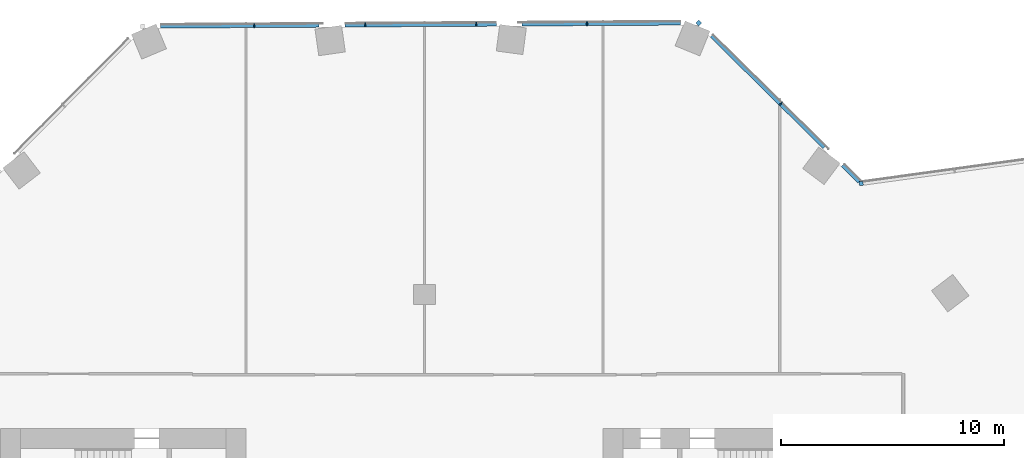
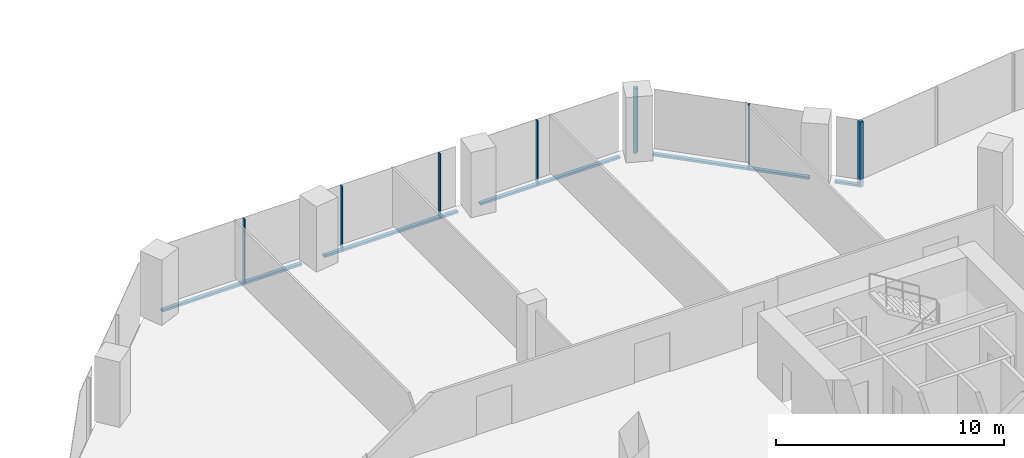
# One storey, part 10 of 27: 12 members, 3 elements without a shape of their own.
"""IFC4 building model written with IfcOpenShell, lengths in metres."""

from ifc_helpers import new_model, si_unit, direction, frame, origin, origin_2d, place, context, subcontext, project, spatial, rectangle, extrude, material, material_profile, profile_set, type_object, element, aggregate, save


model = new_model("IFC4")

# Units and contexts
model_context = context("Model", 3, precision=1e-05, world=origin(), true_north=direction((0.0, 1.0)))
body_context = subcontext(model_context, "Body", "Model", "MODEL_VIEW")
ifc_project = project(units=[si_unit("LENGTHUNIT", "METRE"), si_unit("AREAUNIT", "SQUARE_METRE"), si_unit("VOLUMEUNIT", "CUBIC_METRE"), si_unit("PLANEANGLEUNIT", "RADIAN"), si_unit("MASSUNIT", "GRAM", prefix="KILO")], contexts=[model_context])

# Site, building, storey
site_placement = place(None, origin())
site = spatial("IfcSite", under=ifc_project, at=site_placement, CompositionType="ELEMENT")
building_placement = place(site_placement, origin())
building = spatial("IfcBuilding", under=site, at=building_placement, Name="Orlundy Tower", CompositionType="ELEMENT")
storey_placement = place(building_placement, frame((0.0, 0.0, 192.10009765625)))
storey = spatial("IfcBuildingStorey", under=building, at=storey_placement, Name="L50", CompositionType="ELEMENT", Elevation=192.10009765625)

# Curtain wall, member
ifc_material_1 = material(Name="Aluminium bronze anodised", Category="aluminium")
curtain_wall_type = type_object("IfcCurtainWallType", Name="CW1 wall", PredefinedType="NOTDEFINED", material=ifc_material_1)
curtain_wall_1_placement = place(storey_placement, origin())
curtain_wall_1 = element("IfcCurtainWall", 1, at=curtain_wall_1_placement, inside=storey, type_object=curtain_wall_type, Name="CW1 run 05", PredefinedType="NOTDEFINED")
ifc_material_2 = material(Name="Aluminium bronze anodised", Category="aluminium")
ifc_material_profile_1 = material_profile(ifc_material_2, rectangle(XDim=0.179931640625, YDim=0.179931640625, at=origin_2d()), Name="CW1 corner post 180x180")
ifc_profile_set_1 = profile_set([ifc_material_profile_1], Name="Aluminium bronze anodised")
member_type_1 = type_object("IfcMemberType", Name="CW1 corner post 180x180", PredefinedType="MULLION", material=ifc_profile_set_1)
member_1_placement = place(storey_placement, frame((12.288818359375, 30.162109375, -0.420166015625), z_axis=(0.0, 0.0, 1.0), x_axis=(0.702991811789, 0.711197941896, 0.0)))
member_1 = element("IfcMember", 2, at=member_1_placement, type_object=member_type_1, Name="CW1 mullion 24", PredefinedType="MULLION", context=body_context, shape_type="SweptSolid", body=[
    extrude(rectangle(XDim=0.179931640625, YDim=0.179931640625, at=origin_2d()), origin(), (0.0, 0.0, 1.0), 3.5),
])

curtain_wall_2_placement = place(storey_placement, origin())
curtain_wall_2 = element("IfcCurtainWall", 3, at=curtain_wall_2_placement, inside=storey, type_object=curtain_wall_type, Name="CW1 run 06", PredefinedType="NOTDEFINED")
member_2_placement = place(storey_placement, frame((19.563720703125, 22.97119140625, -0.420166015625), z_axis=(0.0, 0.0, 1.0), x_axis=(-0.136185270904, 0.990683386349, 0.0)))
member_2 = element("IfcMember", 4, at=member_2_placement, type_object=member_type_1, Name="CW1 mullion 26", PredefinedType="MULLION", context=body_context, shape_type="SweptSolid", body=[
    extrude(rectangle(XDim=0.179931640625, YDim=0.179931640625, at=origin_2d()), origin(), (0.0, 0.0, 1.0), 3.5),
])
aggregate(curtain_wall_2, [member_2])

# Curtain wall, members
curtain_wall_3_placement = place(storey_placement, origin())
curtain_wall_3 = element("IfcCurtainWall", 5, at=curtain_wall_3_placement, inside=storey, type_object=curtain_wall_type, Name="CW1 run 04", PredefinedType="NOTDEFINED")
ifc_material_3 = material(Name="Aluminium bronze anodised", Category="aluminium")
ifc_material_profile_2 = material_profile(ifc_material_3, rectangle(XDim=0.179931640625, YDim=0.050048828125, at=origin_2d()), Name="CW1 mullion 50x180")
ifc_profile_set_2 = profile_set([ifc_material_profile_2], Name="Aluminium bronze anodised")
member_type_2 = type_object("IfcMemberType", Name="CW1 mullion 50x180", PredefinedType="MULLION", material=ifc_profile_set_2)
member_3_placement = place(storey_placement, frame((-7.630859375, 30.0458984375, -0.420166015625), z_axis=(0.0, 0.0, 1.0), x_axis=(-0.005834206419, 0.999982980873, 0.0)))
member_3 = element("IfcMember", 6, at=member_3_placement, type_object=member_type_2, Name="CW1 mullion 20", PredefinedType="MULLION", context=body_context, shape_type="SweptSolid", body=[
    extrude(rectangle(XDim=0.179931640625, YDim=0.050048828125, at=origin_2d()), origin(), (0.0, 0.0, 1.0), 3.5),
])
member_4_placement = place(storey_placement, frame((-2.660400390625, 30.074951171875, -0.420166015625), z_axis=(0.0, 0.0, 1.0), x_axis=(-0.005834206419, 0.999982980873, 0.0)))
member_4 = element("IfcMember", 7, at=member_4_placement, type_object=member_type_2, Name="CW1 mullion 21", PredefinedType="MULLION", context=body_context, shape_type="SweptSolid", body=[
    extrude(rectangle(XDim=0.179931640625, YDim=0.050048828125, at=origin_2d()), origin(), (0.0, 0.0, 1.0), 3.5),
])
member_5_placement = place(storey_placement, frame((2.310302734375, 30.10400390625, -0.420166015625), z_axis=(0.0, 0.0, 1.0), x_axis=(-0.005834206419, 0.999982980873, 0.0)))
member_5 = element("IfcMember", 8, at=member_5_placement, type_object=member_type_2, Name="CW1 mullion 22", PredefinedType="MULLION", context=body_context, shape_type="SweptSolid", body=[
    extrude(rectangle(XDim=0.179931640625, YDim=0.050048828125, at=origin_2d()), origin(), (0.0, 0.0, 1.0), 3.5),
])
member_6_placement = place(storey_placement, frame((7.28076171875, 30.133056640625, -0.420166015625), z_axis=(0.0, 0.0, 1.0), x_axis=(-0.005834206419, 0.999982980873, 0.0)))
member_6 = element("IfcMember", 9, at=member_6_placement, type_object=member_type_2, Name="CW1 mullion 23", PredefinedType="MULLION", context=body_context, shape_type="SweptSolid", body=[
    extrude(rectangle(XDim=0.179931640625, YDim=0.050048828125, at=origin_2d()), origin(), (0.0, 0.0, 1.0), 3.5),
])

# Member
member_7_placement = place(storey_placement, frame((15.955322265625, 26.5380859375, -0.420166015625), z_axis=(0.0, 0.0, 1.0), x_axis=(0.702991811789, 0.711197941896, 0.0)))
member_7 = element("IfcMember", 10, at=member_7_placement, type_object=member_type_2, Name="CW1 mullion 25", PredefinedType="MULLION", context=body_context, shape_type="SweptSolid", body=[
    extrude(rectangle(XDim=0.179931640625, YDim=0.050048828125, at=origin_2d()), origin(), (0.0, 0.0, 1.0), 3.5),
])

ifc_material_4 = material(Name="Aluminium bronze anodised", Category="aluminium")
ifc_material_profile_3 = material_profile(ifc_material_4, rectangle(XDim=0.179931640625, YDim=0.1201171875, at=origin_2d()), Name="CW1 transom 180x120")
ifc_profile_set_3 = profile_set([ifc_material_profile_3], Name="Aluminium bronze anodised")
member_type_3 = type_object("IfcMemberType", Name="CW1 transom 180x120", PredefinedType="USERDEFINED", material=ifc_profile_set_3)
member_8_placement = place(storey_placement, frame((-11.826904296875, 30.021484375, -0.360107421875), z_axis=(0.999982941086, 0.005841021852, 0.0), x_axis=(-0.005841021852, 0.999982941086, 0.0)))
member_8 = element("IfcMember", 11, at=member_8_placement, type_object=member_type_3, Name="CW1 transom", ObjectType="TRANSOM", PredefinedType="USERDEFINED", context=body_context, shape_type="SweptSolid", body=[
    extrude(rectangle(XDim=0.179931640625, YDim=0.1201171875, at=origin_2d()), origin(), (0.0, 0.0, 1.0), 7.10546875),
])

member_9_placement = place(storey_placement, frame((-3.572265625, 30.069580078125, -0.360107421875), z_axis=(0.999982848282, 0.005856888404, 0.0), x_axis=(-0.005856888404, 0.999982848282, 0.0)))
member_9 = element("IfcMember", 12, at=member_9_placement, type_object=member_type_3, Name="CW1 transom", ObjectType="TRANSOM", PredefinedType="USERDEFINED", context=body_context, shape_type="SweptSolid", body=[
    extrude(rectangle(XDim=0.179931640625, YDim=0.1201171875, at=origin_2d()), origin(), (0.0, 0.0, 1.0), 6.79443359375),
])

member_10_placement = place(storey_placement, frame((4.36865234375, 30.115966796875, -0.360107421875), z_axis=(0.999982956315, 0.005838414073, 0.0), x_axis=(-0.005838414073, 0.999982956315, 0.0)))
member_10 = element("IfcMember", 13, at=member_10_placement, type_object=member_type_3, Name="CW1 transom", ObjectType="TRANSOM", PredefinedType="USERDEFINED", context=body_context, shape_type="SweptSolid", body=[
    extrude(rectangle(XDim=0.179931640625, YDim=0.1201171875, at=origin_2d()), origin(), (0.0, 0.0, 1.0), 7.108642578125),
])

aggregate(curtain_wall_3, [member_3, member_4, member_5, member_6, member_8, member_9, member_10])

member_11_placement = place(storey_placement, frame((12.8662109375, 29.59130859375, -0.360107421875), z_axis=(0.711199791426, -0.702989940665, 0.0), x_axis=(0.702989940665, 0.711199791426, 0.0)))
member_11 = element("IfcMember", 14, at=member_11_placement, type_object=member_type_3, Name="CW1 transom", ObjectType="TRANSOM", PredefinedType="USERDEFINED", context=body_context, shape_type="SweptSolid", body=[
    extrude(rectangle(XDim=0.179931640625, YDim=0.1201171875, at=origin_2d()), origin(), (0.0, 0.0, 1.0), 7.107177734375),
])

member_12_placement = place(storey_placement, frame((18.73681640625, 23.78857421875, -0.360107421875), z_axis=(0.711167511721, -0.703022595848, 0.0), x_axis=(0.703022595848, 0.711167511721, 0.0)))
member_12 = element("IfcMember", 15, at=member_12_placement, type_object=member_type_3, Name="CW1 transom", ObjectType="TRANSOM", PredefinedType="USERDEFINED", context=body_context, shape_type="SweptSolid", body=[
    extrude(rectangle(XDim=0.179931640625, YDim=0.1201171875, at=origin_2d()), origin(), (0.0, 0.0, 1.0), 1.049072265625),
])

aggregate(curtain_wall_1, [member_1, member_7, member_11, member_12])

save(model, "model.ifc")
